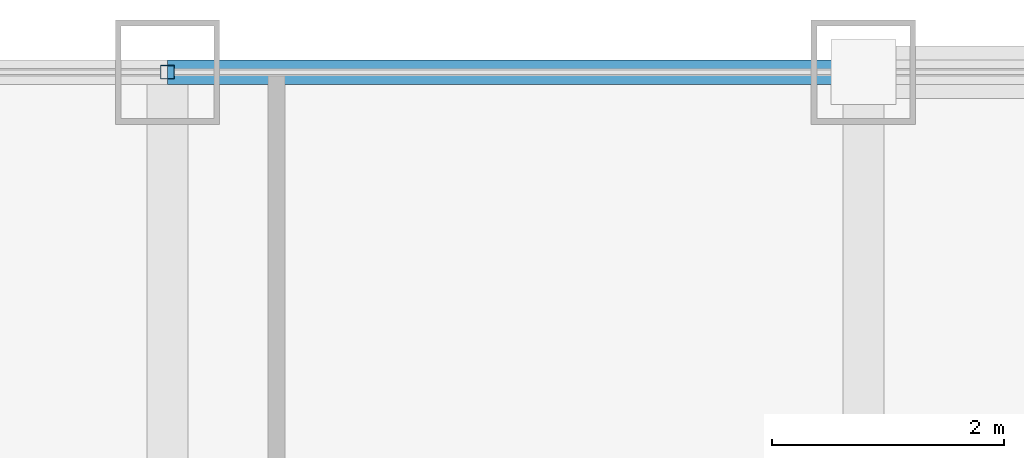
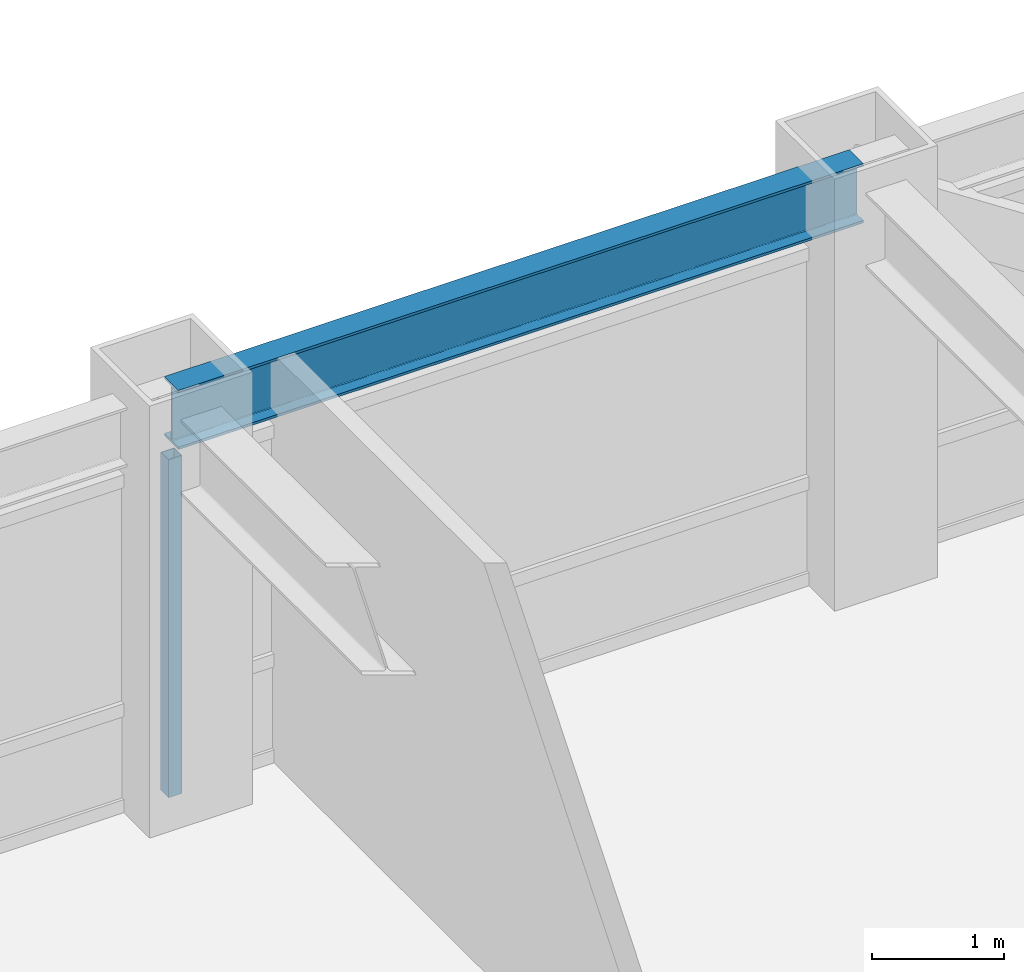
# One storey, part 14 of 22: 1 beam, 1 member, 1 element without a shape of its own.
"""IFC4 building model written with IfcOpenShell, lengths in metres."""

import ifcopenshell
import ifcopenshell.guid

model = None  # the IFC model being written
_history = None  # IfcOwnerHistory: only IFC2X3 demands one
_inside = {}  # id of a spatial element -> (the spatial element, [elements in it])
_under = {}  # id of a project, library or spatial element -> (it, [spatial elements below it])
_declared = {}  # id of a project -> (the project, [libraries it declares])
_typed = {}  # id of a type object -> (the type object, [elements of that type])
_made_of = {}  # id of a material, layer set ... -> (it, [elements and type objects made of it])


def new_model(schema):
    """Start an empty IFC model of exactly this schema.

    Asked for "IFC4X3", IfcOpenShell would pick the latest addendum, in which some entities
    have other attributes; the version numbers below select the first issue.
    IFC2X3 requires an IfcOwnerHistory on every rooted entity: one is made here for all.
    """
    global model, _history
    if schema == "IFC4X3":
        model = ifcopenshell.file(schema_version=(4, 3, 0, 0))
    else:
        model = ifcopenshell.file(schema=schema)
    _inside.clear()
    _under.clear()
    _declared.clear()
    _typed.clear()
    _made_of.clear()
    _history = None
    if model.schema == "IFC2X3":
        org = make("IfcOrganization", Name="unknown")
        user = make(
            "IfcPersonAndOrganization",
            ThePerson=make("IfcPerson", FamilyName="unknown"),
            TheOrganization=org,
        )
        app = make(
            "IfcApplication",
            ApplicationDeveloper=org,
            Version="unknown",
            ApplicationFullName="unknown",
            ApplicationIdentifier="unknown",
        )
        _history = make(
            "IfcOwnerHistory",
            OwningUser=user,
            OwningApplication=app,
            ChangeAction="ADDED",
            CreationDate=0,
        )
    return model


def make(cls, **values):
    """One entity of the class cls with the attributes given. An attribute that is None is left unset."""
    return model.create_entity(
        cls, **{name: value for name, value in values.items() if value is not None}
    )


def rooted(cls, **values):
    """An entity with a GlobalId (a new one), such as an element, a storey or a relation."""
    return make(cls, GlobalId=ifcopenshell.guid.new(), OwnerHistory=_history, **values)


def si_unit(unit_type, name, prefix=None):
    """IfcSIUnit, for example si_unit("LENGTHUNIT", "METRE", prefix="MILLI")."""
    return make("IfcSIUnit", UnitType=unit_type, Prefix=prefix, Name=name)


def assignment(units):
    """IfcUnitAssignment: the units of a project."""
    return None if units is None else make("IfcUnitAssignment", Units=units)


def point(xyz):
    """IfcCartesianPoint."""
    return None if xyz is None else make("IfcCartesianPoint", Coordinates=xyz)


def direction(xyz):
    """IfcDirection."""
    return None if xyz is None else make("IfcDirection", DirectionRatios=xyz)


def frame(location, z_axis=None, x_axis=None):
    """IfcAxis2Placement3D, a coordinate frame: its origin and axes. An axis left out is left unset."""
    return make(
        "IfcAxis2Placement3D",
        Location=point(location),
        Axis=direction(z_axis),
        RefDirection=direction(x_axis),
    )


def frame_2d(location, x_axis=None):
    """IfcAxis2Placement2D, a coordinate frame in the plane: its origin and x axis."""
    return make(
        "IfcAxis2Placement2D", Location=point(location), RefDirection=direction(x_axis)
    )


def origin():
    """The frame at (0, 0, 0) with its axes left unset."""
    return frame((0.0, 0.0, 0.0))


def origin_2d():
    """The frame at (0, 0) in the plane with its x axis left unset."""
    return frame_2d((0.0, 0.0))


def place(relative_to, where):
    """IfcLocalPlacement: puts the frame where relative to a parent placement (None: the world)."""
    return make(
        "IfcLocalPlacement", PlacementRelTo=relative_to, RelativePlacement=where
    )


def context(
    kind, dimensions, precision=None, world=None, true_north=None, identifier=None
):
    """IfcGeometricRepresentationContext, for example the 3D "Model" context."""
    return make(
        "IfcGeometricRepresentationContext",
        ContextIdentifier=identifier,
        ContextType=kind,
        CoordinateSpaceDimension=dimensions,
        Precision=precision,
        WorldCoordinateSystem=world,
        TrueNorth=true_north,
    )


def subcontext(parent, identifier, kind, view, scale=None):
    """IfcGeometricRepresentationSubContext, for example "Body" below "Model"."""
    return make(
        "IfcGeometricRepresentationSubContext",
        ContextIdentifier=identifier,
        ContextType=kind,
        ParentContext=parent,
        TargetScale=scale,
        TargetView=view,
    )


def project(units=None, contexts=None):
    """IfcProject with its units and contexts."""
    return rooted(
        "IfcProject",
        Name="project",
        RepresentationContexts=contexts,
        UnitsInContext=assignment(units),
    )


def spatial(cls, under=None, at=None, **own):
    """A site, building, storey or space (cls), placed at a placement, below another one or the project."""
    s = rooted(cls, ObjectPlacement=at, **own)
    if under is not None:
        _under.setdefault(under.id(), (under, []))[1].append(s)
    return s


def profile(cls, at=None, kind="AREA", **sizes):
    """A parametric profile (cls). Its sizes go by their IFC names, for example OverallWidth=200.0."""
    return make(cls, ProfileType=kind, Position=at, **sizes)


def hollow_rectangle(**sizes):
    """IfcRectangleHollowProfileDef."""
    return profile("IfcRectangleHollowProfileDef", **sizes)


def i_section(**sizes):
    """IfcIShapeProfileDef."""
    return profile("IfcIShapeProfileDef", **sizes)


def extrude(swept, where, along, depth):
    """IfcExtrudedAreaSolid: the profile swept, set in the frame where, extruded along a direction by depth."""
    return make(
        "IfcExtrudedAreaSolid",
        SweptArea=swept,
        Position=where,
        ExtrudedDirection=direction(along),
        Depth=depth,
    )


def shape(context_of_items, identifier, shape_type, items):
    """IfcShapeRepresentation: the items that make up one representation, for example the "Body"."""
    return make(
        "IfcShapeRepresentation",
        ContextOfItems=context_of_items,
        RepresentationIdentifier=identifier,
        RepresentationType=shape_type,
        Items=items,
    )


def source(mapping_origin, context_of_items, identifier, shape_type, items):
    """IfcRepresentationMap: a shape defined once, which mapped items show again and again."""
    return make(
        "IfcRepresentationMap",
        MappingOrigin=mapping_origin,
        MappedRepresentation=shape(context_of_items, identifier, shape_type, items),
    )


def transform(
    local_origin,
    x_axis=None,
    y_axis=None,
    z_axis=None,
    scale=None,
    scale2=None,
    scale3=None,
    uniform=True,
):
    """IfcCartesianTransformationOperator3D, or its non-uniform kind. x_axis, y_axis, z_axis: its Axis1, 2, 3."""
    if uniform:
        return make(
            "IfcCartesianTransformationOperator3D",
            Axis1=direction(x_axis),
            Axis2=direction(y_axis),
            LocalOrigin=point(local_origin),
            Scale=scale,
            Axis3=direction(z_axis),
        )
    return make(
        "IfcCartesianTransformationOperator3DnonUniform",
        Axis1=direction(x_axis),
        Axis2=direction(y_axis),
        LocalOrigin=point(local_origin),
        Scale=scale,
        Axis3=direction(z_axis),
        Scale2=scale2,
        Scale3=scale3,
    )


def mapped(mapping_source, mapping_target):
    """IfcMappedItem: shows the shape of a source again, moved by a transform."""
    return make(
        "IfcMappedItem", MappingSource=mapping_source, MappingTarget=mapping_target
    )


def material(Name=None, Category=None):
    """IfcMaterial."""
    return make("IfcMaterial", Name=Name, Category=Category)


def material_profile(
    of_material, cross_section, Name=None, Category=None, Priority=None
):
    """IfcMaterialProfile: a cross section and its material."""
    return make(
        "IfcMaterialProfile",
        Name=Name,
        Material=of_material,
        Profile=cross_section,
        Priority=Priority,
        Category=Category,
    )


def profile_set(profiles, Name=None, composite=None):
    """IfcMaterialProfileSet."""
    return make(
        "IfcMaterialProfileSet",
        Name=Name,
        MaterialProfiles=profiles,
        CompositeProfile=composite,
    )


def made_of(thing, what):
    """Note that an element or type object is made of a material, layer set ...; save() writes the relation."""
    if what is not None:
        _made_of.setdefault(what.id(), (what, []))[1].append(thing)
    return thing


def type_object(cls, material=None, **own):
    """A type object (cls), such as IfcWallType, which elements share."""
    return made_of(rooted(cls, **own), material)


def element(
    cls,
    number,
    at=None,
    inside=None,
    cuts=None,
    type_object=None,
    material=None,
    context=None,
    identifier="Body",
    shape_type=None,
    held_by="IfcProductDefinitionShape",
    body=None,
    shapes=None,
    **own,
):
    """One element of the class cls, such as IfcWall. Its Tag is "e" and its number.

    at: its placement. inside: the storey or other place that contains it. cuts: it is an
    opening in that element (IfcRelVoidsElement). A single representation is given by context,
    identifier, shape_type and body (its items); several are given by shapes. held_by: the class
    of the entity that holds the representations. save() writes the other relations.
    """
    e = rooted(cls, Tag="e%d" % number, ObjectPlacement=at, **own)
    if body is not None:
        shapes = [shape(context, identifier, shape_type, body)]
    if shapes is not None:
        e.Representation = make(held_by, Representations=shapes)
    if inside is not None:
        _inside.setdefault(inside.id(), (inside, []))[1].append(e)
    if cuts is not None:
        rooted(
            "IfcRelVoidsElement", RelatingBuildingElement=cuts, RelatedOpeningElement=e
        )
    if type_object is not None:
        _typed.setdefault(type_object.id(), (type_object, []))[1].append(e)
    return made_of(e, material)


def aggregate(whole, parts):
    """IfcRelAggregates: a whole, such as a stair, and the parts it consists of."""
    return rooted("IfcRelAggregates", RelatingObject=whole, RelatedObjects=parts)


def save(model, path):
    """Write the relations noted so far, then the file.

    IfcRelAggregates (storeys below a building ...), IfcRelContainedInSpatialStructure (elements
    in a storey), IfcRelDefinesByType, IfcRelAssociatesMaterial and IfcRelDeclares: one each for
    every whole, place, type object, material and project.
    """
    for whole, parts in _under.values():
        aggregate(whole, parts)
    for where, things in _inside.values():
        rooted(
            "IfcRelContainedInSpatialStructure",
            RelatedElements=things,
            RelatingStructure=where,
        )
    for kind, things in _typed.values():
        rooted("IfcRelDefinesByType", RelatedObjects=things, RelatingType=kind)
    for what, things in _made_of.values():
        rooted("IfcRelAssociatesMaterial", RelatedObjects=things, RelatingMaterial=what)
    for by, libraries in _declared.values():
        rooted("IfcRelDeclares", RelatingContext=by, RelatedDefinitions=libraries)
    model.write(path)


model = new_model("IFC4")

# Units and contexts
model_context = context("Model", 3, precision=1e-05, world=origin(), true_north=direction((0.0, 1.0)))
body_context = subcontext(model_context, "Body", "Model", "MODEL_VIEW")
ifc_project = project(units=[si_unit("LENGTHUNIT", "METRE"), si_unit("AREAUNIT", "SQUARE_METRE"), si_unit("VOLUMEUNIT", "CUBIC_METRE"), si_unit("PLANEANGLEUNIT", "RADIAN"), si_unit("MASSUNIT", "GRAM", prefix="KILO")], contexts=[model_context])

# Site, building, storey
site_placement = place(None, origin())
site = spatial("IfcSite", under=ifc_project, at=site_placement, CompositionType="ELEMENT")
building_placement = place(site_placement, origin())
building = spatial("IfcBuilding", under=site, at=building_placement, Name="Khorayat Bourse Tower", CompositionType="ELEMENT")
storey_placement = place(building_placement, frame((0.0, 0.0, 309.5)))
storey = spatial("IfcBuildingStorey", under=building, at=storey_placement, Name="L73", CompositionType="ELEMENT", Elevation=309.5)

# Beam
ifc_material_1 = material(Name="Steel ASTM A992 Grade 50", Category="steel")
ifc_material_profile_1 = material_profile(ifc_material_1, i_section(OverallWidth=0.214111328125, OverallDepth=0.549072265625, WebThickness=0.0146484375, FlangeThickness=0.023681640625, FilletRadius=0.013916015625, at=origin_2d()), Name="W530X138")
ifc_profile_set_1 = profile_set([ifc_material_profile_1], Name="Steel ASTM A992 Grade 50")
beam_type = type_object("IfcBeamType", Name="BM-SPAN-530", PredefinedType="SPANDREL", material=ifc_profile_set_1)
shared_shape_1 = source(origin(), body_context, "Body", "SweptSolid", [
    extrude(i_section(OverallWidth=0.214111328125, OverallDepth=0.549072265625, WebThickness=0.0146484375, FlangeThickness=0.023681640625, FilletRadius=0.013916015625, at=origin_2d()), origin(), (0.0, 0.0, 1.0), 6.0),
])
beam_placement = place(storey_placement, frame((0.0, 28.0, 3.505615234375), z_axis=(1.0, 0.0, 0.0), x_axis=(0.0, 1.0, 0.0)))
element("IfcBeam", 1, at=beam_placement, inside=storey, type_object=beam_type, Name="L73 BM-SPAN-530 BM-L73-SPN-047", PredefinedType="SPANDREL", context=body_context, shape_type="MappedRepresentation", body=[
    mapped(shared_shape_1, transform((0.0, 0.0, 0.0), scale=1.0)),
])

# Curtain wall, member
ifc_material_2 = material(Name="Aluminium EN AW-6063 T6", Category="aluminium")
curtain_wall_type = type_object("IfcCurtainWallType", Name="CW-SYS-04", PredefinedType="NOTDEFINED", material=ifc_material_2)
curtain_wall_placement = place(storey_placement, origin())
curtain_wall = element("IfcCurtainWall", 2, at=curtain_wall_placement, inside=storey, type_object=curtain_wall_type, Name="L73 Curtain Wall CW-L73-N1", PredefinedType="NOTDEFINED")
ifc_material_profile_2 = material_profile(ifc_material_2, hollow_rectangle(XDim=0.1201171875, YDim=0.1201171875, WallThickness=0.0048828125, at=origin_2d()), Name="ALU 120x120x5")
ifc_profile_set_2 = profile_set([ifc_material_profile_2], Name="Aluminium EN AW-6063 T6")
member_type = type_object("IfcMemberType", Name="CWM-VERT-120", PredefinedType="MULLION", material=ifc_profile_set_2)
shared_shape_2 = source(origin(), body_context, "Body", "SweptSolid", [
    extrude(hollow_rectangle(XDim=0.1201171875, YDim=0.1201171875, WallThickness=0.0048828125, at=origin_2d()), origin(), (0.0, 0.0, 1.0), 3.1298828125),
])
member_placement = place(storey_placement, frame((0.0, 28.0, 0.0), z_axis=(0.0, 0.0, 1.0), x_axis=(0.0, 1.0, 0.0)))
member = element("IfcMember", 3, at=member_placement, type_object=member_type, Name="CW-L73-N1 Vertical Mullion 2", PredefinedType="MULLION", context=body_context, shape_type="MappedRepresentation", body=[
    mapped(shared_shape_2, transform((0.0, 0.0, 0.0), scale=1.0)),
])
aggregate(curtain_wall, [member])

save(model, "model.ifc")
